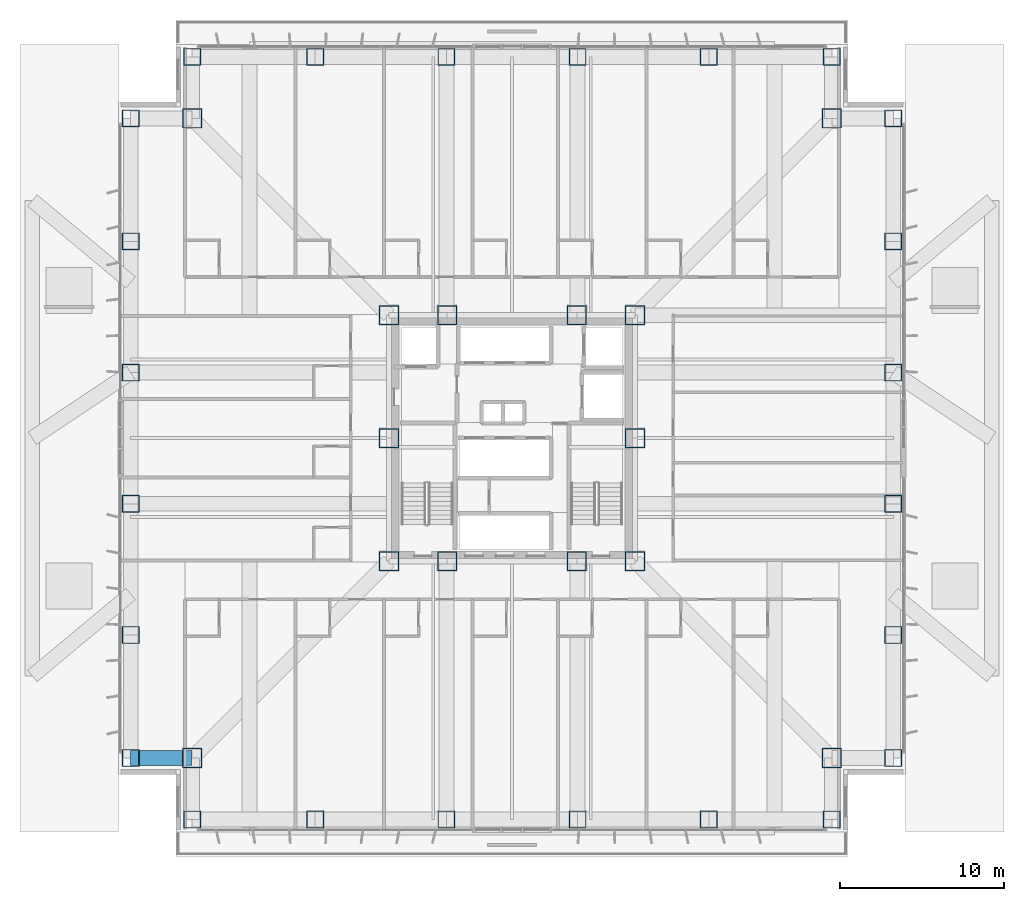
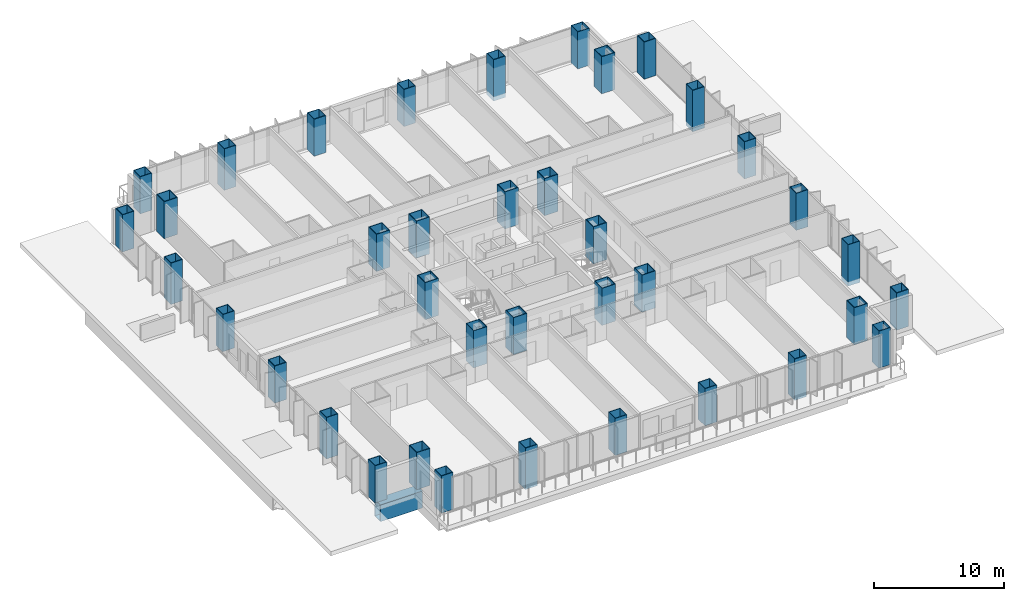
# One storey, part 1 of 24: 38 columns, 1 beam.
"""IFC4 building model written with IfcOpenShell, lengths in metres."""

from ifc_helpers import new_model, si_unit, direction, frame, origin, origin_2d, place, context, subcontext, project, spatial, hollow_rectangle, extrude, material, material_profile, profile_set, type_object, element, save


model = new_model("IFC4")

# Units and contexts
model_context = context("Model", 3, precision=1e-05, world=origin(), true_north=direction((0.0, 1.0)))
body_context = subcontext(model_context, "Body", "Model", "MODEL_VIEW")
ifc_project = project(units=[si_unit("LENGTHUNIT", "METRE"), si_unit("AREAUNIT", "SQUARE_METRE"), si_unit("VOLUMEUNIT", "CUBIC_METRE"), si_unit("PLANEANGLEUNIT", "RADIAN"), si_unit("MASSUNIT", "GRAM", prefix="KILO")], contexts=[model_context])

# Site, building, storey
site_placement = place(None, origin())
site = spatial("IfcSite", under=ifc_project, at=site_placement, CompositionType="ELEMENT")
building_placement = place(site_placement, origin())
building = spatial("IfcBuilding", under=site, at=building_placement, Name="Trevonay Congress Spire", CompositionType="ELEMENT")
storey_placement = place(building_placement, frame((0.0, 0.0, 27.0)))
storey = spatial("IfcBuildingStorey", under=building, at=storey_placement, Name="L05", CompositionType="ELEMENT", Elevation=27.0)

# Columns
ifc_material = material(Name="Steel ASTM A572 Grade 50", Category="steel")
ifc_material_profile_1 = material_profile(ifc_material, hollow_rectangle(XDim=1.199951171875, YDim=1.199951171875, WallThickness=0.054931640625, at=origin_2d()), Name="BOX 1200x1200x55")
ifc_profile_set_1 = profile_set([ifc_material_profile_1], Name="Steel ASTM A572 Grade 50")
column_type_1 = type_object("IfcColumnType", Name="COL-CORE-BOX1200", PredefinedType="COLUMN", material=ifc_profile_set_1)
for number, where, z_axis, x_axis, name in (
    (1, (-7.5, -7.5, 0.0), (0.0, 0.0, 1.0), (1.0, 0.0, 0.0), "L05 column C02 at CC-SW"),
    (2, (-3.949951171875, -7.5, 0.0), (0.0, 0.0, 1.0), (1.0, 0.0, 0.0), "L05 column C02 at CC-SMW"),
    (3, (3.949951171875, -7.5, 0.0), (0.0, 0.0, 1.0), (1.0, 0.0, 0.0), "L05 column C02 at CC-SME"),
    (4, (7.5, -7.5, 0.0), (0.0, 0.0, 1.0), (1.0, 0.0, 0.0), "L05 column C02 at CC-SE"),
    (5, (7.5, 0.0, 0.0), (0.0, 0.0, 1.0), (1.0, 0.0, 0.0), "L05 column C02 at CC-E"),
    (6, (7.5, 7.5, 0.0), (0.0, 0.0, 1.0), (1.0, 0.0, 0.0), "L05 column C02 at CC-NE"),
    (7, (3.949951171875, 7.5, 0.0), (0.0, 0.0, 1.0), (1.0, 0.0, 0.0), "L05 column C02 at CC-NME"),
    (8, (-3.949951171875, 7.5, 0.0), (0.0, 0.0, 1.0), (1.0, 0.0, 0.0), "L05 column C02 at CC-NMW"),
    (9, (-7.5, 7.5, 0.0), (0.0, 0.0, 1.0), (1.0, 0.0, 0.0), "L05 column C02 at CC-NW"),
    (10, (-7.5, 0.0, 0.0), (0.0, 0.0, 1.0), (1.0, 0.0, 0.0), "L05 column C02 at CC-W"),
):
    element("IfcColumn", number, at=place(storey_placement, frame(where, z_axis=z_axis, x_axis=x_axis)), inside=storey, type_object=column_type_1, Name=name, PredefinedType="COLUMN", context=body_context, shape_type="SweptSolid", body=[
        extrude(hollow_rectangle(XDim=1.199951171875, YDim=1.199951171875, WallThickness=0.054931640625, at=origin_2d()), origin(), (0.0, 0.0, 1.0), 3.5),
    ])
ifc_material_profile_2 = material_profile(ifc_material, hollow_rectangle(XDim=1.199951171875, YDim=1.199951171875, WallThickness=0.054931640625, at=origin_2d()), Name="BOX 1200x1200x55")
ifc_profile_set_2 = profile_set([ifc_material_profile_2], Name="Steel ASTM A572 Grade 50")
column_type_2 = type_object("IfcColumnType", Name="COL-NOTCH-BOX1200", PredefinedType="COLUMN", material=ifc_profile_set_2)
for number, where, z_axis, x_axis, name in (
    (11, (-19.5, -19.5, 0.0), (0.0, 0.0, 1.0), (1.0, 0.0, 0.0), "L05 column C19 at NC-SW"),
    (12, (19.5, -19.5, 0.0), (0.0, 0.0, 1.0), (1.0, 0.0, 0.0), "L05 column C19 at NC-SE"),
    (13, (19.5, 19.5, 0.0), (0.0, 0.0, 1.0), (1.0, 0.0, 0.0), "L05 column C19 at NC-NE"),
    (14, (-19.5, 19.5, 0.0), (0.0, 0.0, 1.0), (1.0, 0.0, 0.0), "L05 column C19 at NC-NW"),
):
    element("IfcColumn", number, at=place(storey_placement, frame(where, z_axis=z_axis, x_axis=x_axis)), inside=storey, type_object=column_type_2, Name=name, PredefinedType="COLUMN", context=body_context, shape_type="SweptSolid", body=[
        extrude(hollow_rectangle(XDim=1.199951171875, YDim=1.199951171875, WallThickness=0.054931640625, at=origin_2d()), origin(), (0.0, 0.0, 1.0), 3.5),
    ])
ifc_material_profile_3 = material_profile(ifc_material, hollow_rectangle(XDim=1.050048828125, YDim=1.050048828125, WallThickness=0.050048828125, at=origin_2d()), Name="BOX 1050x1050x50")
ifc_profile_set_3 = profile_set([ifc_material_profile_3], Name="Steel ASTM A572 Grade 50")
column_type_3 = type_object("IfcColumnType", Name="COL-TUBE-BOX1050", PredefinedType="COLUMN", material=ifc_profile_set_3)
for number, where, z_axis, x_axis, name in (
    (15, (-19.5, -23.25, 0.0), (0.0, 0.0, 1.0), (1.0, 0.0, 0.0), "L05 column C14 at TS-1"),
    (16, (-19.5, 23.25, 0.0), (0.0, 0.0, 1.0), (1.0, 0.0, 0.0), "L05 column C14 at TN-1"),
    (17, (-23.25, -19.5, 0.0), (0.0, 0.0, 1.0), (1.0, 0.0, 0.0), "L05 column C14 at TW-1"),
    (18, (23.25, -19.5, 0.0), (0.0, 0.0, 1.0), (1.0, 0.0, 0.0), "L05 column C14 at TE-1"),
):
    element("IfcColumn", number, at=place(storey_placement, frame(where, z_axis=z_axis, x_axis=x_axis)), inside=storey, type_object=column_type_3, Name=name, PredefinedType="COLUMN", context=body_context, shape_type="SweptSolid", body=[
        extrude(hollow_rectangle(XDim=1.050048828125, YDim=1.050048828125, WallThickness=0.050048828125, at=origin_2d()), origin(), (0.0, 0.0, 1.0), 3.5),
    ])
for number, where, z_axis, x_axis, name in (
    (19, (-12.0, -23.25, -0.39990234375), (0.0, 0.0, 1.0), (1.0, 0.0, 0.0), "L05 column C14 at TS-2"),
    (20, (-12.0, 23.25, -0.39990234375), (0.0, 0.0, 1.0), (1.0, 0.0, 0.0), "L05 column C14 at TN-2"),
    (21, (-23.25, -12.0, -0.39990234375), (0.0, 0.0, 1.0), (1.0, 0.0, 0.0), "L05 column C14 at TW-2"),
    (22, (23.25, -12.0, -0.39990234375), (0.0, 0.0, 1.0), (1.0, 0.0, 0.0), "L05 column C14 at TE-2"),
):
    element("IfcColumn", number, at=place(storey_placement, frame(where, z_axis=z_axis, x_axis=x_axis)), inside=storey, type_object=column_type_3, Name=name, PredefinedType="COLUMN", context=body_context, shape_type="SweptSolid", body=[
        extrude(hollow_rectangle(XDim=1.050048828125, YDim=1.050048828125, WallThickness=0.050048828125, at=origin_2d()), origin(), (0.0, 0.0, 1.0), 3.89990234375),
    ])
for number, where, z_axis, x_axis, name in (
    (23, (-4.0, -23.25, 0.0), (0.0, 0.0, 1.0), (1.0, 0.0, 0.0), "L05 column C14 at TS-3"),
    (24, (-4.0, 23.25, 0.0), (0.0, 0.0, 1.0), (1.0, 0.0, 0.0), "L05 column C14 at TN-3"),
    (25, (-23.25, -4.0, 0.0), (0.0, 0.0, 1.0), (1.0, 0.0, 0.0), "L05 column C14 at TW-3"),
    (26, (23.25, -4.0, 0.0), (0.0, 0.0, 1.0), (1.0, 0.0, 0.0), "L05 column C14 at TE-3"),
    (27, (4.0, -23.25, 0.0), (0.0, 0.0, 1.0), (1.0, 0.0, 0.0), "L05 column C14 at TS-4"),
    (28, (4.0, 23.25, 0.0), (0.0, 0.0, 1.0), (1.0, 0.0, 0.0), "L05 column C14 at TN-4"),
    (29, (-23.25, 4.0, 0.0), (0.0, 0.0, 1.0), (1.0, 0.0, 0.0), "L05 column C14 at TW-4"),
    (30, (23.25, 4.0, 0.0), (0.0, 0.0, 1.0), (1.0, 0.0, 0.0), "L05 column C14 at TE-4"),
):
    element("IfcColumn", number, at=place(storey_placement, frame(where, z_axis=z_axis, x_axis=x_axis)), inside=storey, type_object=column_type_3, Name=name, PredefinedType="COLUMN", context=body_context, shape_type="SweptSolid", body=[
        extrude(hollow_rectangle(XDim=1.050048828125, YDim=1.050048828125, WallThickness=0.050048828125, at=origin_2d()), origin(), (0.0, 0.0, 1.0), 3.5),
    ])
for number, where, z_axis, x_axis, name in (
    (31, (12.0, -23.25, -0.39990234375), (0.0, 0.0, 1.0), (1.0, 0.0, 0.0), "L05 column C14 at TS-5"),
    (32, (12.0, 23.25, -0.39990234375), (0.0, 0.0, 1.0), (1.0, 0.0, 0.0), "L05 column C14 at TN-5"),
    (33, (-23.25, 12.0, -0.39990234375), (0.0, 0.0, 1.0), (1.0, 0.0, 0.0), "L05 column C14 at TW-5"),
    (34, (23.25, 12.0, -0.39990234375), (0.0, 0.0, 1.0), (1.0, 0.0, 0.0), "L05 column C14 at TE-5"),
):
    element("IfcColumn", number, at=place(storey_placement, frame(where, z_axis=z_axis, x_axis=x_axis)), inside=storey, type_object=column_type_3, Name=name, PredefinedType="COLUMN", context=body_context, shape_type="SweptSolid", body=[
        extrude(hollow_rectangle(XDim=1.050048828125, YDim=1.050048828125, WallThickness=0.050048828125, at=origin_2d()), origin(), (0.0, 0.0, 1.0), 3.89990234375),
    ])
for number, where, z_axis, x_axis, name in (
    (35, (19.5, -23.25, 0.0), (0.0, 0.0, 1.0), (1.0, 0.0, 0.0), "L05 column C14 at TS-6"),
    (36, (19.5, 23.25, 0.0), (0.0, 0.0, 1.0), (1.0, 0.0, 0.0), "L05 column C14 at TN-6"),
    (37, (-23.25, 19.5, 0.0), (0.0, 0.0, 1.0), (1.0, 0.0, 0.0), "L05 column C14 at TW-6"),
    (38, (23.25, 19.5, 0.0), (0.0, 0.0, 1.0), (1.0, 0.0, 0.0), "L05 column C14 at TE-6"),
):
    element("IfcColumn", number, at=place(storey_placement, frame(where, z_axis=z_axis, x_axis=x_axis)), inside=storey, type_object=column_type_3, Name=name, PredefinedType="COLUMN", context=body_context, shape_type="SweptSolid", body=[
        extrude(hollow_rectangle(XDim=1.050048828125, YDim=1.050048828125, WallThickness=0.050048828125, at=origin_2d()), origin(), (0.0, 0.0, 1.0), 3.5),
    ])

# Beam
ifc_material_profile_4 = material_profile(ifc_material, hollow_rectangle(XDim=0.89990234375, YDim=1.60009765625, WallThickness=0.06005859375, at=origin_2d()), Name="BOX 1600x900x60")
ifc_profile_set_4 = profile_set([ifc_material_profile_4], Name="Steel ASTM A572 Grade 50")
beam_type = type_object("IfcBeamType", Name="BM-RING-BOX1600", PredefinedType="BEAM", material=ifc_profile_set_4)
beam_placement = place(storey_placement, frame((-23.25, -19.5, -1.199951171875), z_axis=(1.0, 0.0, 0.0), x_axis=(0.0, 1.0, 0.0)))
element("IfcBeam", 39, at=beam_placement, inside=storey, type_object=beam_type, Name="L05 structural beam BM-L05-N2SW", PredefinedType="BEAM", context=body_context, shape_type="SweptSolid", body=[
    extrude(hollow_rectangle(XDim=0.89990234375, YDim=1.60009765625, WallThickness=0.06005859375, at=origin_2d()), origin(), (0.0, 0.0, 1.0), 3.75),
])

save(model, "model.ifc")
